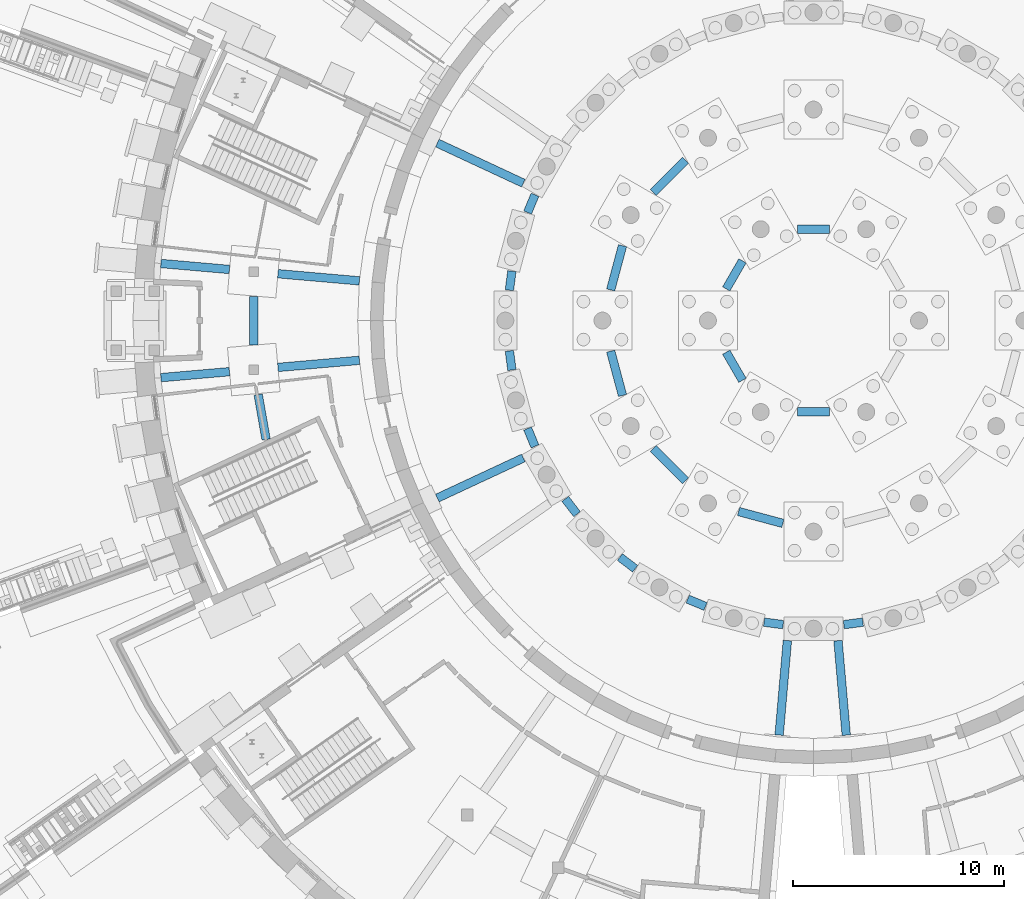
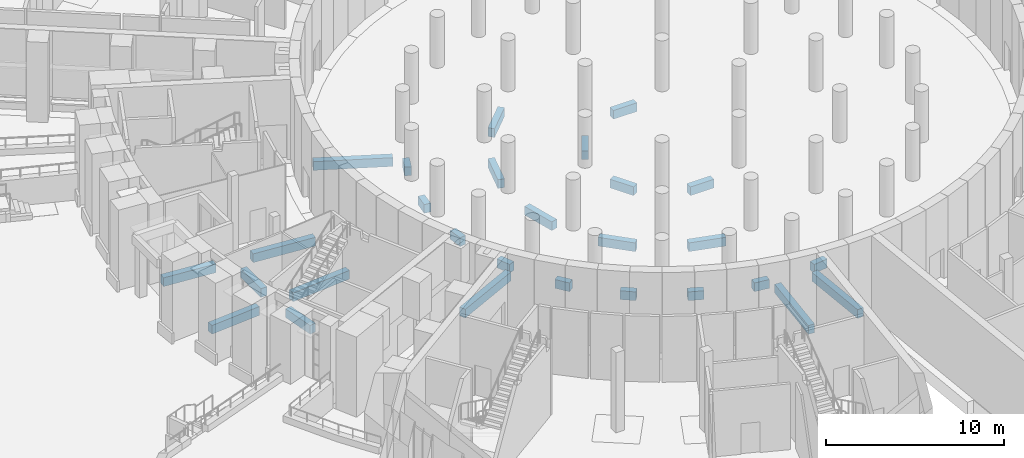
# One storey, part 15 of 65: 28 beams.
"""IFC4 building model written with IfcOpenShell, lengths in metres."""

from ifc_helpers import new_model, si_unit, direction, frame, origin, origin_2d, place, context, subcontext, project, spatial, rectangle, extrude, material, material_profile, profile_set, type_object, element, save


model = new_model("IFC4")

# Units and contexts
model_context = context("Model", 3, precision=1e-05, world=origin(), true_north=direction((0.0, 1.0)))
body_context = subcontext(model_context, "Body", "Model", "MODEL_VIEW")
ifc_project = project(units=[si_unit("LENGTHUNIT", "METRE"), si_unit("AREAUNIT", "SQUARE_METRE"), si_unit("VOLUMEUNIT", "CUBIC_METRE"), si_unit("PLANEANGLEUNIT", "RADIAN"), si_unit("MASSUNIT", "GRAM", prefix="KILO")], contexts=[model_context])

# Site, building, storey
site_placement = place(None, origin())
site = spatial("IfcSite", under=ifc_project, at=site_placement, CompositionType="ELEMENT")
building_placement = place(site_placement, origin())
building = spatial("IfcBuilding", under=site, at=building_placement, Name="Volute Hill Aquarium", CompositionType="ELEMENT")
storey_placement = place(building_placement, frame((0.0, 0.0, -5.5)))
storey = spatial("IfcBuildingStorey", under=building, at=storey_placement, Name="L00", CompositionType="ELEMENT", Elevation=-5.5)

# Beams
ifc_material_1 = material(Name="Concrete C30/37", Category="concrete")
ifc_material_profile_1 = material_profile(ifc_material_1, rectangle(XDim=0.39990234375, YDim=0.60009765625, at=origin_2d()), Name="RC tie beam 400x600")
ifc_profile_set_1 = profile_set([ifc_material_profile_1], Name="Concrete C30/37")
beam_type_1 = type_object("IfcBeamType", Name="Tank hall tie beam RC 400x600 C30/37", PredefinedType="BEAM", material=ifc_profile_set_1)
beam_1_placement = place(storey_placement, frame((0.767822265625, 4.330078125, -0.60009765625), z_axis=(-1.0, 0.0, 0.0), x_axis=(0.0, -1.0, 0.0)))
element("IfcBeam", 1, at=beam_1_placement, inside=storey, type_object=beam_type_1, Name="tb/DR/L00/1.1", PredefinedType="BEAM", context=body_context, shape_type="SweptSolid", body=[
    extrude(rectangle(XDim=0.39990234375, YDim=0.60009765625, at=origin_2d()), origin(), (0.0, 0.0, 1.0), 1.53564453125),
])
for number, where, z_axis, x_axis, name in (
    (2, (-3.365966796875, 2.830078125, -0.60009765625), (-0.500071019227, -0.865984396932, 0.0), (0.865984396932, -0.500071019227, 0.0), "tb/DR/L00/1.2"),
    (3, (-4.134033203125, -1.5, -0.60009765625), (0.500071019227, -0.865984396932, 0.0), (0.865984396932, 0.500071019227, 0.0), "tb/DR/L00/1.3"),
):
    element("IfcBeam", number, at=place(storey_placement, frame(where, z_axis=z_axis, x_axis=x_axis)), inside=storey, type_object=beam_type_1, Name=name, PredefinedType="BEAM", context=body_context, shape_type="SweptSolid", body=[
        extrude(rectangle(XDim=0.39990234375, YDim=0.60009765625, at=origin_2d()), origin(), (0.0, 0.0, 1.0), 1.535888671875),
    ])
beam_2_placement = place(storey_placement, frame((-0.767822265625, -4.330078125, -0.60009765625), z_axis=(1.0, 0.0, 0.0), x_axis=(0.0, 1.0, 0.0)))
element("IfcBeam", 4, at=beam_2_placement, inside=storey, type_object=beam_type_1, Name="tb/DR/L00/1.4", PredefinedType="BEAM", context=body_context, shape_type="SweptSolid", body=[
    extrude(rectangle(XDim=0.39990234375, YDim=0.60009765625, at=origin_2d()), origin(), (0.0, 0.0, 1.0), 1.53564453125),
])
for number, where, z_axis, x_axis, name in (
    (5, (-6.062744140625, 7.59765625, -0.60009765625), (-0.707106781187, -0.707106781187, 0.0), (0.707106781187, -0.707106781187, 0.0), "tb/DR/L00/2.4"),
    (6, (-9.04931640625, 3.54833984375, -0.60009765625), (-0.258803549142, -0.965929978286, 0.0), (0.965929978286, -0.258803549142, 0.0), "tb/DR/L00/2.5"),
    (7, (-9.611083984375, -1.45166015625, -0.60009765625), (0.258803549142, -0.965929978286, 0.0), (0.965929978286, 0.258803549142, 0.0), "tb/DR/L00/2.6"),
    (8, (-7.59765625, -6.062744140625, -0.60009765625), (0.707106781187, -0.707106781187, 0.0), (0.707106781187, 0.707106781187, 0.0), "tb/DR/L00/2.7"),
    (9, (-3.54833984375, -9.04931640625, -0.60009765625), (0.965929978286, -0.258803549142, 0.0), (0.258803549142, 0.965929978286, 0.0), "tb/DR/L00/2.8"),
):
    element("IfcBeam", number, at=place(storey_placement, frame(where, z_axis=z_axis, x_axis=x_axis)), inside=storey, type_object=beam_type_1, Name=name, PredefinedType="BEAM", context=body_context, shape_type="SweptSolid", body=[
        extrude(rectangle(XDim=0.39990234375, YDim=0.60009765625, at=origin_2d()), origin(), (0.0, 0.0, 1.0), 2.170654296875),
    ])
beam_3_placement = place(storey_placement, frame((-13.198974609375, 5.9599609375, -0.60009765625), z_axis=(-0.382920146822, -0.923781446641, 0.0), x_axis=(0.923781446641, -0.382920146822, 0.0)))
element("IfcBeam", 10, at=beam_3_placement, inside=storey, type_object=beam_type_1, Name="tb/DR/L00/3.10", PredefinedType="BEAM", context=body_context, shape_type="SweptSolid", body=[
    extrude(rectangle(XDim=0.39990234375, YDim=0.60009765625, at=origin_2d()), origin(), (0.0, 0.0, 1.0), 0.910400390625),
])
for number, where, z_axis, x_axis, name in (
    (11, (-14.291748046875, 2.3408203125, -0.60009765625), (-0.130565475518, -0.991439688838, 0.0), (0.991439688838, -0.130565475518, 0.0), "tb/DR/L00/3.11"),
    (12, (-14.41064453125, -1.43798828125, -0.60009765625), (0.130565475518, -0.991439688838, 0.0), (0.991439688838, 0.130565475518, 0.0), "tb/DR/L00/3.12"),
):
    element("IfcBeam", number, at=place(storey_placement, frame(where, z_axis=z_axis, x_axis=x_axis)), inside=storey, type_object=beam_type_1, Name=name, PredefinedType="BEAM", context=body_context, shape_type="SweptSolid", body=[
        extrude(rectangle(XDim=0.39990234375, YDim=0.60009765625, at=origin_2d()), origin(), (0.0, 0.0, 1.0), 0.91064453125),
    ])
for number, where, z_axis, x_axis, name in (
    (13, (-13.547607421875, -5.118896484375, -0.60009765625), (0.382920146822, -0.923781446641, 0.0), (0.923781446641, 0.382920146822, 0.0), "tb/DR/L00/3.13"),
    (14, (-11.760986328125, -8.45068359375, -0.60009765625), (0.608673571477, -0.793420748018, 0.0), (0.793420748018, 0.608673571477, 0.0), "tb/DR/L00/3.14"),
    (15, (-9.173095703125, -11.206787109375, -0.60009765625), (0.793420748018, -0.608673571477, 0.0), (0.608673571477, 0.793420748018, 0.0), "tb/DR/L00/3.15"),
    (16, (-5.9599609375, -13.198974609375, -0.60009765625), (0.923781446641, -0.382920146822, 0.0), (0.382920146822, 0.923781446641, 0.0), "tb/DR/L00/3.16"),
):
    element("IfcBeam", number, at=place(storey_placement, frame(where, z_axis=z_axis, x_axis=x_axis)), inside=storey, type_object=beam_type_1, Name=name, PredefinedType="BEAM", context=body_context, shape_type="SweptSolid", body=[
        extrude(rectangle(XDim=0.39990234375, YDim=0.60009765625, at=origin_2d()), origin(), (0.0, 0.0, 1.0), 0.910400390625),
    ])
for number, where, z_axis, x_axis, name in (
    (17, (-2.3408203125, -14.291748046875, -0.60009765625), (0.991439688838, -0.130565475518, 0.0), (0.130565475518, 0.991439688838, 0.0), "tb/DR/L00/3.17"),
    (18, (1.43798828125, -14.41064453125, -0.60009765625), (0.991439688838, 0.130565475518, 0.0), (-0.130565475518, 0.991439688838, 0.0), "tb/DR/L00/3.18"),
):
    element("IfcBeam", number, at=place(storey_placement, frame(where, z_axis=z_axis, x_axis=x_axis)), inside=storey, type_object=beam_type_1, Name=name, PredefinedType="BEAM", context=body_context, shape_type="SweptSolid", body=[
        extrude(rectangle(XDim=0.39990234375, YDim=0.60009765625, at=origin_2d()), origin(), (0.0, 0.0, 1.0), 0.91064453125),
    ])
ifc_material_2 = material(Name="Concrete C30/37", Category="concrete")
ifc_material_profile_2 = material_profile(ifc_material_2, rectangle(XDim=0.39990234375, YDim=0.60009765625, at=origin_2d()), Name="RC tie beam 400x600")
ifc_profile_set_2 = profile_set([ifc_material_profile_2], Name="Concrete C30/37")
beam_type_2 = type_object("IfcBeamType", Name="Tie beam 400x600 C30/37", PredefinedType="BEAM", material=ifc_profile_set_2)
beam_4_placement = place(storey_placement, frame((-26.523681640625, 1.148681640625, -0.550048828125), z_axis=(0.0, -1.0, 0.0), x_axis=(1.0, 0.0, 0.0)))
element("IfcBeam", 19, at=beam_4_placement, inside=storey, type_object=beam_type_2, Name="tb/S1/L00/1", PredefinedType="BEAM", context=body_context, shape_type="SweptSolid", body=[
    extrude(rectangle(XDim=0.39990234375, YDim=0.60009765625, at=origin_2d()), origin(), (0.0, 0.0, 1.0), 2.29736328125),
])
beam_5_placement = place(storey_placement, frame((-25.377685546875, 2.22021484375, -0.550048828125), z_axis=(0.996195769042, -0.087143500859, 0.0), x_axis=(0.087143500859, 0.996195769042, 0.0)))
element("IfcBeam", 20, at=beam_5_placement, inside=storey, type_object=beam_type_2, Name="tb/S1/L00/2", PredefinedType="BEAM", context=body_context, shape_type="SweptSolid", body=[
    extrude(rectangle(XDim=0.39990234375, YDim=0.60009765625, at=origin_2d()), origin(), (0.0, 0.0, 1.0), 3.87451171875),
])
beam_6_placement = place(storey_placement, frame((-27.67822265625, 2.42138671875, -0.550048828125), z_axis=(-0.996192903828, 0.087176248845, 0.0), x_axis=(-0.087176248845, -0.996192903828, 0.0)))
element("IfcBeam", 21, at=beam_6_placement, inside=storey, type_object=beam_type_2, Name="tb/S1/L00/3", PredefinedType="BEAM", context=body_context, shape_type="SweptSolid", body=[
    extrude(rectangle(XDim=0.39990234375, YDim=0.60009765625, at=origin_2d()), origin(), (0.0, 0.0, 1.0), 3.257080078125),
])
beam_7_placement = place(storey_placement, frame((-26.31396484375, -3.510009765625, -0.550048828125), z_axis=(0.173604913421, -0.984815380686, 0.0), x_axis=(0.984815380686, 0.173604913421, 0.0)))
element("IfcBeam", 22, at=beam_7_placement, inside=storey, type_object=beam_type_2, Name="tb/S1/L00/4", PredefinedType="BEAM", context=body_context, shape_type="SweptSolid", body=[
    extrude(rectangle(XDim=0.39990234375, YDim=0.60009765625, at=origin_2d()), origin(), (0.0, 0.0, 1.0), 2.161376953125),
])
beam_8_placement = place(storey_placement, frame((-25.377685546875, -2.22021484375, -0.550048828125), z_axis=(0.996195769042, 0.087143500859, 0.0), x_axis=(-0.087143500859, 0.996195769042, 0.0)))
element("IfcBeam", 23, at=beam_8_placement, inside=storey, type_object=beam_type_2, Name="tb/S1/L00/5", PredefinedType="BEAM", context=body_context, shape_type="SweptSolid", body=[
    extrude(rectangle(XDim=0.39990234375, YDim=0.60009765625, at=origin_2d()), origin(), (0.0, 0.0, 1.0), 3.87451171875),
])
beam_9_placement = place(storey_placement, frame((-27.67822265625, -2.42138671875, -0.550048828125), z_axis=(-0.996192903828, -0.087176248845, 0.0), x_axis=(0.087176248845, -0.996192903828, 0.0)))
element("IfcBeam", 24, at=beam_9_placement, inside=storey, type_object=beam_type_2, Name="tb/S1/L00/6", PredefinedType="BEAM", context=body_context, shape_type="SweptSolid", body=[
    extrude(rectangle(XDim=0.39990234375, YDim=0.60009765625, at=origin_2d()), origin(), (0.0, 0.0, 1.0), 3.257080078125),
])
for number, where, z_axis, x_axis, name in (
    (25, (-17.825439453125, 8.411376953125, -0.60009765625), (0.906312124014, -0.422608960937, 0.0), (0.422608960937, 0.906312124014, 0.0), "tb/S1/L00/eA1"),
    (26, (-17.825439453125, -8.411376953125, -0.60009765625), (0.906312124014, 0.422608960937, 0.0), (-0.422608960937, 0.906312124014, 0.0), "tb/S1/L00/eB1"),
):
    element("IfcBeam", number, at=place(storey_placement, frame(where, z_axis=z_axis, x_axis=x_axis)), inside=storey, type_object=beam_type_2, Name=name, PredefinedType="BEAM", context=body_context, shape_type="SweptSolid", body=[
        extrude(rectangle(XDim=0.39990234375, YDim=0.60009765625, at=origin_2d()), origin(), (0.0, 0.0, 1.0), 4.49560546875),
    ])
beam_10_placement = place(storey_placement, frame((-1.62841796875, -19.64306640625, -0.60009765625), z_axis=(0.087210736207, 0.996189885258, 0.0), x_axis=(-0.996189885258, 0.087210736207, 0.0)))
element("IfcBeam", 27, at=beam_10_placement, inside=storey, type_object=beam_type_2, Name="tb/S2/L00/eB1", PredefinedType="BEAM", context=body_context, shape_type="SweptSolid", body=[
    extrude(rectangle(XDim=0.39990234375, YDim=0.60009765625, at=origin_2d()), origin(), (0.0, 0.0, 1.0), 4.495849609375),
])
beam_11_placement = place(storey_placement, frame((1.55322265625, -19.646484375, -0.60009765625), z_axis=(-0.087152131122, 0.996195014061, 0.0), x_axis=(-0.996195014061, -0.087152131122, 0.0)))
element("IfcBeam", 28, at=beam_11_placement, inside=storey, type_object=beam_type_2, Name="tb/S3/L00/eA0", PredefinedType="BEAM", context=body_context, shape_type="SweptSolid", body=[
    extrude(rectangle(XDim=0.39990234375, YDim=0.60009765625, at=origin_2d()), origin(), (0.0, 0.0, 1.0), 4.49609375),
])

save(model, "model.ifc")
